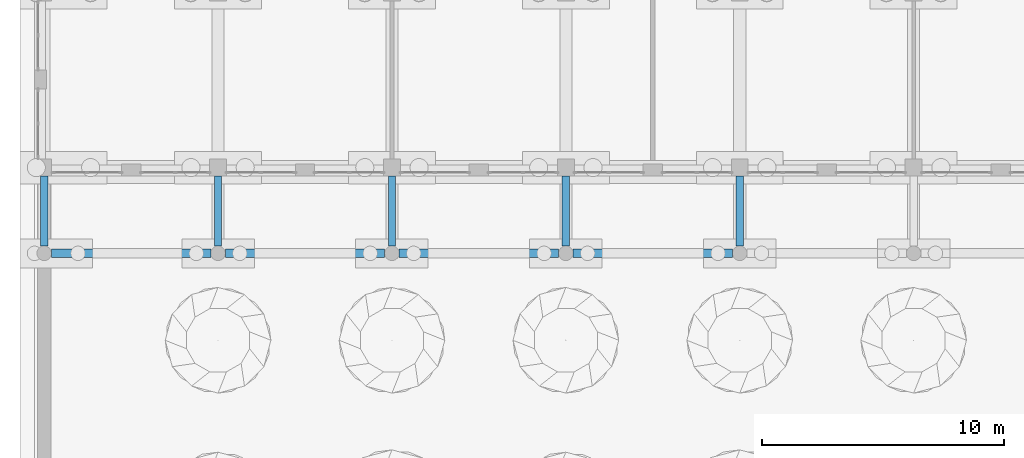
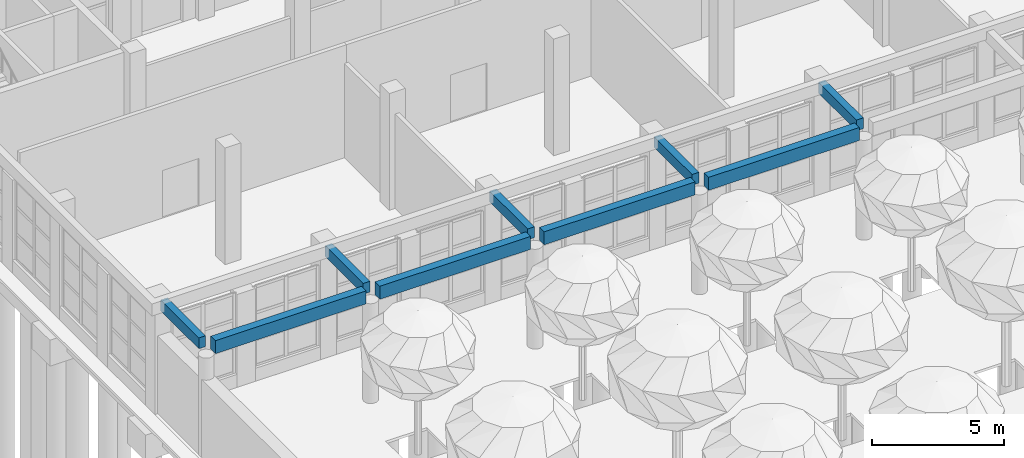
# One storey, part 13 of 80: 9 beams.
"""IFC4 building model written with IfcOpenShell, lengths in metres."""

from ifc_helpers import new_model, si_unit, direction, frame, origin, origin_2d, place, context, subcontext, project, spatial, rectangle, extrude, material, material_profile, profile_set, type_object, element, save


model = new_model("IFC4")

# Units and contexts
model_context = context("Model", 3, precision=1e-05, world=origin(), true_north=direction((0.0, 1.0)))
body_context = subcontext(model_context, "Body", "Model", "MODEL_VIEW")
ifc_project = project(units=[si_unit("LENGTHUNIT", "METRE"), si_unit("AREAUNIT", "SQUARE_METRE"), si_unit("VOLUMEUNIT", "CUBIC_METRE"), si_unit("PLANEANGLEUNIT", "RADIAN"), si_unit("MASSUNIT", "GRAM", prefix="KILO")], contexts=[model_context])

# Site, building, storey
site_placement = place(None, origin())
site = spatial("IfcSite", under=ifc_project, at=site_placement, CompositionType="ELEMENT")
building_placement = place(site_placement, origin())
building = spatial("IfcBuilding", under=site, at=building_placement, Name="Ussher Court Research Institute", CompositionType="ELEMENT")
storey_placement = place(building_placement, origin())
storey = spatial("IfcBuildingStorey", under=building, at=storey_placement, Name="L00", CompositionType="ELEMENT", Elevation=0.0)

# Beams
ifc_material_1 = material(Name="Concrete C35/45", Category="concrete")
ifc_material_profile_1 = material_profile(ifc_material_1, rectangle(XDim=0.300048828125, YDim=0.5, at=origin_2d()), Name="RC 300x500")
ifc_profile_set_1 = profile_set([ifc_material_profile_1], Name="Concrete C35/45")
beam_type_1 = type_object("IfcBeamType", Name="RC 300x500 beam", PredefinedType="BEAM", material=ifc_profile_set_1)
for number, where, z_axis, x_axis, name in (
    (1, (3.0, 65.5, 4.969970703125), (0.0, 1.0, 0.0), (-1.0, 0.0, 0.0), "B2 V5C L00-01"),
    (2, (10.199951171875, 65.5, 4.969970703125), (0.0, 1.0, 0.0), (-1.0, 0.0, 0.0), "B2 V5C L00-02"),
    (3, (17.39990234375, 65.5, 4.969970703125), (0.0, 1.0, 0.0), (-1.0, 0.0, 0.0), "B2 V5C L00-03"),
    (4, (24.60009765625, 65.5, 4.969970703125), (0.0, 1.0, 0.0), (-1.0, 0.0, 0.0), "B2 V5C L00-04"),
    (5, (31.800048828125, 65.5, 4.969970703125), (0.0, 1.0, 0.0), (-1.0, 0.0, 0.0), "B2 V5C L00-05"),
):
    element("IfcBeam", number, at=place(storey_placement, frame(where, z_axis=z_axis, x_axis=x_axis)), inside=storey, type_object=beam_type_1, Name=name, PredefinedType="BEAM", context=body_context, shape_type="SweptSolid", body=[
        extrude(rectangle(XDim=0.300048828125, YDim=0.5, at=origin_2d()), origin(), (0.0, 0.0, 1.0), 2.89990234375),
    ])
ifc_material_2 = material(Name="Concrete C35/45", Category="concrete")
ifc_material_profile_2 = material_profile(ifc_material_2, rectangle(XDim=0.35009765625, YDim=0.60009765625, at=origin_2d()), Name="RC 350x600")
ifc_profile_set_2 = profile_set([ifc_material_profile_2], Name="Concrete C35/45")
beam_type_2 = type_object("IfcBeamType", Name="RC 350x600 beam", PredefinedType="BEAM", material=ifc_profile_set_2)
beam_placement = place(storey_placement, frame((3.300048828125, 65.199951171875, 4.919921875), z_axis=(1.0, 0.0, 0.0), x_axis=(0.0, 1.0, 0.0)))
element("IfcBeam", 6, at=beam_placement, inside=storey, type_object=beam_type_2, Name="B15 V5C L00-01", PredefinedType="BEAM", context=body_context, shape_type="SweptSolid", body=[
    extrude(rectangle(XDim=0.35009765625, YDim=0.60009765625, at=origin_2d()), origin(), (0.0, 0.0, 1.0), 6.599853515625),
])
for number, where, z_axis, x_axis, name in (
    (7, (10.5, 65.199951171875, 4.919921875), (1.0, 0.0, 0.0), (0.0, 1.0, 0.0), "B15 V5C L00-02"),
    (8, (17.699951171875, 65.199951171875, 4.919921875), (1.0, 0.0, 0.0), (0.0, 1.0, 0.0), "B15 V5C L00-03"),
    (9, (24.89990234375, 65.199951171875, 4.919921875), (1.0, 0.0, 0.0), (0.0, 1.0, 0.0), "B15 V5C L00-04"),
):
    element("IfcBeam", number, at=place(storey_placement, frame(where, z_axis=z_axis, x_axis=x_axis)), inside=storey, type_object=beam_type_2, Name=name, PredefinedType="BEAM", context=body_context, shape_type="SweptSolid", body=[
        extrude(rectangle(XDim=0.35009765625, YDim=0.60009765625, at=origin_2d()), origin(), (0.0, 0.0, 1.0), 6.60009765625),
    ])

save(model, "model.ifc")
